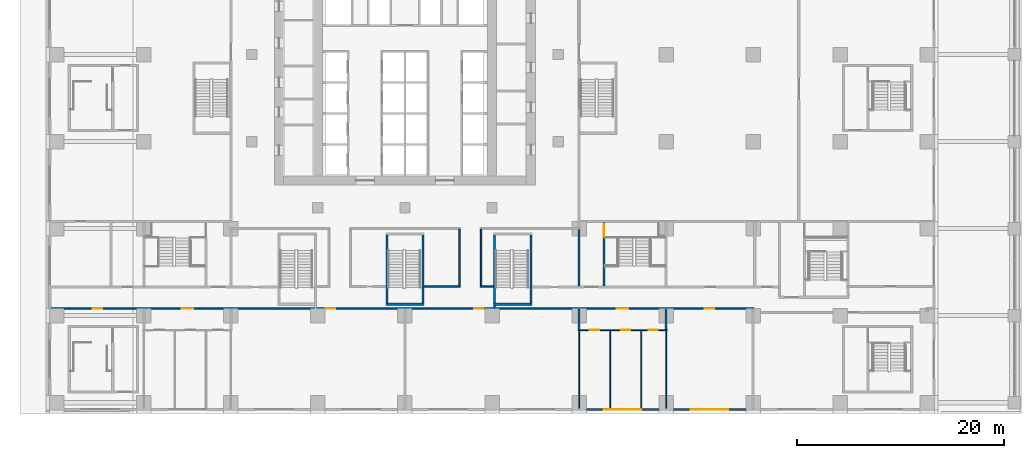
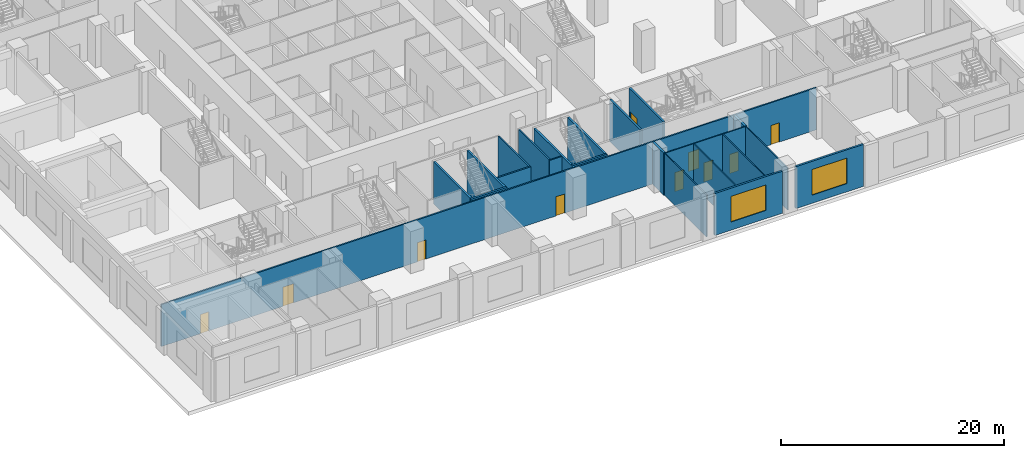
# One storey, part 10 of 29: 22 walls, 10 doors, 2 windows, 12 openings.
"""IFC4 building model written with IfcOpenShell, lengths in metres."""

import ifcopenshell
import ifcopenshell.guid

model = None  # the IFC model being written
_history = None  # IfcOwnerHistory: only IFC2X3 demands one
_inside = {}  # id of a spatial element -> (the spatial element, [elements in it])
_under = {}  # id of a project, library or spatial element -> (it, [spatial elements below it])
_declared = {}  # id of a project -> (the project, [libraries it declares])
_typed = {}  # id of a type object -> (the type object, [elements of that type])
_made_of = {}  # id of a material, layer set ... -> (it, [elements and type objects made of it])


def new_model(schema):
    """Start an empty IFC model of exactly this schema.

    Asked for "IFC4X3", IfcOpenShell would pick the latest addendum, in which some entities
    have other attributes; the version numbers below select the first issue.
    IFC2X3 requires an IfcOwnerHistory on every rooted entity: one is made here for all.
    """
    global model, _history
    if schema == "IFC4X3":
        model = ifcopenshell.file(schema_version=(4, 3, 0, 0))
    else:
        model = ifcopenshell.file(schema=schema)
    _inside.clear()
    _under.clear()
    _declared.clear()
    _typed.clear()
    _made_of.clear()
    _history = None
    if model.schema == "IFC2X3":
        org = make("IfcOrganization", Name="unknown")
        user = make(
            "IfcPersonAndOrganization",
            ThePerson=make("IfcPerson", FamilyName="unknown"),
            TheOrganization=org,
        )
        app = make(
            "IfcApplication",
            ApplicationDeveloper=org,
            Version="unknown",
            ApplicationFullName="unknown",
            ApplicationIdentifier="unknown",
        )
        _history = make(
            "IfcOwnerHistory",
            OwningUser=user,
            OwningApplication=app,
            ChangeAction="ADDED",
            CreationDate=0,
        )
    return model


def make(cls, **values):
    """One entity of the class cls with the attributes given. An attribute that is None is left unset."""
    return model.create_entity(
        cls, **{name: value for name, value in values.items() if value is not None}
    )


def rooted(cls, **values):
    """An entity with a GlobalId (a new one), such as an element, a storey or a relation."""
    return make(cls, GlobalId=ifcopenshell.guid.new(), OwnerHistory=_history, **values)


def si_unit(unit_type, name, prefix=None):
    """IfcSIUnit, for example si_unit("LENGTHUNIT", "METRE", prefix="MILLI")."""
    return make("IfcSIUnit", UnitType=unit_type, Prefix=prefix, Name=name)


def assignment(units):
    """IfcUnitAssignment: the units of a project."""
    return None if units is None else make("IfcUnitAssignment", Units=units)


def point(xyz):
    """IfcCartesianPoint."""
    return None if xyz is None else make("IfcCartesianPoint", Coordinates=xyz)


def direction(xyz):
    """IfcDirection."""
    return None if xyz is None else make("IfcDirection", DirectionRatios=xyz)


def frame(location, z_axis=None, x_axis=None):
    """IfcAxis2Placement3D, a coordinate frame: its origin and axes. An axis left out is left unset."""
    return make(
        "IfcAxis2Placement3D",
        Location=point(location),
        Axis=direction(z_axis),
        RefDirection=direction(x_axis),
    )


def frame_2d(location, x_axis=None):
    """IfcAxis2Placement2D, a coordinate frame in the plane: its origin and x axis."""
    return make(
        "IfcAxis2Placement2D", Location=point(location), RefDirection=direction(x_axis)
    )


def origin():
    """The frame at (0, 0, 0) with its axes left unset."""
    return frame((0.0, 0.0, 0.0))


def place(relative_to, where):
    """IfcLocalPlacement: puts the frame where relative to a parent placement (None: the world)."""
    return make(
        "IfcLocalPlacement", PlacementRelTo=relative_to, RelativePlacement=where
    )


def context(
    kind, dimensions, precision=None, world=None, true_north=None, identifier=None
):
    """IfcGeometricRepresentationContext, for example the 3D "Model" context."""
    return make(
        "IfcGeometricRepresentationContext",
        ContextIdentifier=identifier,
        ContextType=kind,
        CoordinateSpaceDimension=dimensions,
        Precision=precision,
        WorldCoordinateSystem=world,
        TrueNorth=true_north,
    )


def subcontext(parent, identifier, kind, view, scale=None):
    """IfcGeometricRepresentationSubContext, for example "Body" below "Model"."""
    return make(
        "IfcGeometricRepresentationSubContext",
        ContextIdentifier=identifier,
        ContextType=kind,
        ParentContext=parent,
        TargetScale=scale,
        TargetView=view,
    )


def project(units=None, contexts=None):
    """IfcProject with its units and contexts."""
    return rooted(
        "IfcProject",
        Name="project",
        RepresentationContexts=contexts,
        UnitsInContext=assignment(units),
    )


def spatial(cls, under=None, at=None, **own):
    """A site, building, storey or space (cls), placed at a placement, below another one or the project."""
    s = rooted(cls, ObjectPlacement=at, **own)
    if under is not None:
        _under.setdefault(under.id(), (under, []))[1].append(s)
    return s


def profile(cls, at=None, kind="AREA", **sizes):
    """A parametric profile (cls). Its sizes go by their IFC names, for example OverallWidth=200.0."""
    return make(cls, ProfileType=kind, Position=at, **sizes)


def rectangle(**sizes):
    """IfcRectangleProfileDef."""
    return profile("IfcRectangleProfileDef", **sizes)


def extrude(swept, where, along, depth):
    """IfcExtrudedAreaSolid: the profile swept, set in the frame where, extruded along a direction by depth."""
    return make(
        "IfcExtrudedAreaSolid",
        SweptArea=swept,
        Position=where,
        ExtrudedDirection=direction(along),
        Depth=depth,
    )


def shape(context_of_items, identifier, shape_type, items):
    """IfcShapeRepresentation: the items that make up one representation, for example the "Body"."""
    return make(
        "IfcShapeRepresentation",
        ContextOfItems=context_of_items,
        RepresentationIdentifier=identifier,
        RepresentationType=shape_type,
        Items=items,
    )


def material(Name=None, Category=None):
    """IfcMaterial."""
    return make("IfcMaterial", Name=Name, Category=Category)


def layer(
    of_material, thickness, ventilated=None, Name=None, Category=None, Priority=None
):
    """IfcMaterialLayer: one layer of a wall or slab, of a material (None: an air gap)."""
    return make(
        "IfcMaterialLayer",
        Material=of_material,
        LayerThickness=thickness,
        IsVentilated=ventilated,
        Name=Name,
        Category=Category,
        Priority=Priority,
    )


def layer_set(layers, Name=None):
    """IfcMaterialLayerSet."""
    return make("IfcMaterialLayerSet", MaterialLayers=layers, LayerSetName=Name)


def made_of(thing, what):
    """Note that an element or type object is made of a material, layer set ...; save() writes the relation."""
    if what is not None:
        _made_of.setdefault(what.id(), (what, []))[1].append(thing)
    return thing


def type_object(cls, material=None, **own):
    """A type object (cls), such as IfcWallType, which elements share."""
    return made_of(rooted(cls, **own), material)


def element(
    cls,
    number,
    at=None,
    inside=None,
    cuts=None,
    type_object=None,
    material=None,
    context=None,
    identifier="Body",
    shape_type=None,
    held_by="IfcProductDefinitionShape",
    body=None,
    shapes=None,
    **own,
):
    """One element of the class cls, such as IfcWall. Its Tag is "e" and its number.

    at: its placement. inside: the storey or other place that contains it. cuts: it is an
    opening in that element (IfcRelVoidsElement). A single representation is given by context,
    identifier, shape_type and body (its items); several are given by shapes. held_by: the class
    of the entity that holds the representations. save() writes the other relations.
    """
    e = rooted(cls, Tag="e%d" % number, ObjectPlacement=at, **own)
    if body is not None:
        shapes = [shape(context, identifier, shape_type, body)]
    if shapes is not None:
        e.Representation = make(held_by, Representations=shapes)
    if inside is not None:
        _inside.setdefault(inside.id(), (inside, []))[1].append(e)
    if cuts is not None:
        rooted(
            "IfcRelVoidsElement", RelatingBuildingElement=cuts, RelatedOpeningElement=e
        )
    if type_object is not None:
        _typed.setdefault(type_object.id(), (type_object, []))[1].append(e)
    return made_of(e, material)


def fill(opening, filler):
    """IfcRelFillsElement: the door or window that sits in an opening."""
    return rooted(
        "IfcRelFillsElement",
        RelatingOpeningElement=opening,
        RelatedBuildingElement=filler,
    )


def aggregate(whole, parts):
    """IfcRelAggregates: a whole, such as a stair, and the parts it consists of."""
    return rooted("IfcRelAggregates", RelatingObject=whole, RelatedObjects=parts)


def save(model, path):
    """Write the relations noted so far, then the file.

    IfcRelAggregates (storeys below a building ...), IfcRelContainedInSpatialStructure (elements
    in a storey), IfcRelDefinesByType, IfcRelAssociatesMaterial and IfcRelDeclares: one each for
    every whole, place, type object, material and project.
    """
    for whole, parts in _under.values():
        aggregate(whole, parts)
    for where, things in _inside.values():
        rooted(
            "IfcRelContainedInSpatialStructure",
            RelatedElements=things,
            RelatingStructure=where,
        )
    for kind, things in _typed.values():
        rooted("IfcRelDefinesByType", RelatedObjects=things, RelatingType=kind)
    for what, things in _made_of.values():
        rooted("IfcRelAssociatesMaterial", RelatedObjects=things, RelatingMaterial=what)
    for by, libraries in _declared.values():
        rooted("IfcRelDeclares", RelatingContext=by, RelatedDefinitions=libraries)
    model.write(path)


model = new_model("IFC4")

# Units and contexts
model_context = context("Model", 3, precision=1e-05, world=origin(), true_north=direction((0.0, 1.0)))
body_context = subcontext(model_context, "Body", "Model", "MODEL_VIEW")
ifc_project = project(units=[si_unit("LENGTHUNIT", "METRE"), si_unit("AREAUNIT", "SQUARE_METRE"), si_unit("VOLUMEUNIT", "CUBIC_METRE"), si_unit("PLANEANGLEUNIT", "RADIAN"), si_unit("MASSUNIT", "GRAM", prefix="KILO")], contexts=[model_context])

# Site, building, storey
site_placement = place(None, origin())
site = spatial("IfcSite", under=ifc_project, at=site_placement, CompositionType="ELEMENT")
building_placement = place(site_placement, origin())
building = spatial("IfcBuilding", under=site, at=building_placement, Name="Vermilion Ogive Tower", CompositionType="ELEMENT")
storey_placement = place(building_placement, frame((0.0, 0.0, 7.5)))
storey = spatial("IfcBuildingStorey", under=building, at=storey_placement, Name="L01", CompositionType="ELEMENT", Elevation=7.5)

# Wall, openings, doors
ifc_material_1 = material(Name="Gypsum board partition on steel studs", Category="steel")
ifc_layer_1 = layer(ifc_material_1, 0.10009765625)
ifc_layer_set_1 = layer_set([ifc_layer_1], Name="Partition 100 bath")
wall_type_1 = type_object("IfcWallType", Name="Partition 100 bath", PredefinedType="PARTITIONING", material=ifc_layer_set_1)
wall_1_placement = place(storey_placement, frame((16.699951171875, -22.39990234375, 0.0), z_axis=(0.0, 0.0, 1.0), x_axis=(1.0, 0.0, 0.0)))
wall_1 = element("IfcWall", 1, at=wall_1_placement, inside=storey, type_object=wall_type_1, Name="L01-FS-W-W004", PredefinedType="PARTITIONING", context=body_context, shape_type="SweptSolid", body=[
    extrude(rectangle(XDim=8.60009765625, YDim=0.10009765625, at=frame_2d((4.300048828125, 0.0))), origin(), (0.0, 0.0, 1.0), 4.60009765625),
])
opening_1_placement = place(wall_1_placement, frame((1.150146484375, 0.0, 0.0)))
opening_1 = element("IfcOpeningElement", 2, at=opening_1_placement, cuts=wall_1, Name="Opening L01S049", PredefinedType="OPENING", context=body_context, shape_type="SweptSolid", body=[
    extrude(rectangle(XDim=0.89990234375, YDim=2.10009765625, at=frame_2d((0.449951171875, 1.050048828125))), frame((0.0, 0.06005859375, 0.0), z_axis=(0.0, -1.0, 0.0), x_axis=(1.0, 0.0, 0.0)), (0.0, 0.0, 1.0), 0.1201171875),
])
opening_2_placement = place(wall_1_placement, frame((4.150146484375, 0.0, 0.0)))
opening_2 = element("IfcOpeningElement", 3, at=opening_2_placement, cuts=wall_1, Name="Opening L01S050", PredefinedType="OPENING", context=body_context, shape_type="SweptSolid", body=[
    extrude(rectangle(XDim=0.89990234375, YDim=2.10009765625, at=frame_2d((0.449951171875, 1.050048828125))), frame((0.0, 0.06005859375, 0.0), z_axis=(0.0, -1.0, 0.0), x_axis=(1.0, 0.0, 0.0)), (0.0, 0.0, 1.0), 0.1201171875),
])
opening_3_placement = place(wall_1_placement, frame((6.800048828125, 0.0, 0.0)))
opening_3 = element("IfcOpeningElement", 4, at=opening_3_placement, cuts=wall_1, Name="Opening L01S051", PredefinedType="OPENING", context=body_context, shape_type="SweptSolid", body=[
    extrude(rectangle(XDim=0.89990234375, YDim=2.10009765625, at=frame_2d((0.449951171875, 1.050048828125))), frame((0.0, 0.06005859375, 0.0), z_axis=(0.0, -1.0, 0.0), x_axis=(1.0, 0.0, 0.0)), (0.0, 0.0, 1.0), 0.1201171875),
])
ifc_material_2 = material(Name="Timber door leaf", Category="wood")
door_type_1 = type_object("IfcDoorType", Name="Room door 900 x 2100 FD30", OperationType="SINGLE_SWING_LEFT", PredefinedType="DOOR", material=ifc_material_2)
door_1_placement = place(opening_1_placement, origin())
door_1 = element("IfcDoor", 5, at=door_1_placement, inside=storey, type_object=door_type_1, Name="L01-FS-D-D049", OperationType="SINGLE_SWING_RIGHT", OverallHeight=2.10009765625, OverallWidth=0.89990234375, PredefinedType="DOOR", context=body_context, shape_type="SweptSolid", body=[
    extrude(rectangle(XDim=0.89990234375, YDim=2.10009765625, at=frame_2d((0.449951171875, 1.050048828125))), frame((0.0, 0.02490234375, 0.0), z_axis=(0.0, -1.0, 0.0), x_axis=(1.0, 0.0, 0.0)), (0.0, 0.0, 1.0), 0.050048828125),
])
fill(opening_1, door_1)
door_2_placement = place(opening_2_placement, origin())
door_2 = element("IfcDoor", 6, at=door_2_placement, inside=storey, type_object=door_type_1, Name="L01-FS-D-D050", OperationType="SINGLE_SWING_RIGHT", OverallHeight=2.10009765625, OverallWidth=0.89990234375, PredefinedType="DOOR", context=body_context, shape_type="SweptSolid", body=[
    extrude(rectangle(XDim=0.89990234375, YDim=2.10009765625, at=frame_2d((0.449951171875, 1.050048828125))), frame((0.0, 0.02490234375, 0.0), z_axis=(0.0, -1.0, 0.0), x_axis=(1.0, 0.0, 0.0)), (0.0, 0.0, 1.0), 0.050048828125),
])
fill(opening_2, door_2)
door_3_placement = place(opening_3_placement, origin())
door_3 = element("IfcDoor", 7, at=door_3_placement, inside=storey, type_object=door_type_1, Name="L01-FS-D-D051", OperationType="SINGLE_SWING_RIGHT", OverallHeight=2.10009765625, OverallWidth=0.89990234375, PredefinedType="DOOR", context=body_context, shape_type="SweptSolid", body=[
    extrude(rectangle(XDim=0.89990234375, YDim=2.10009765625, at=frame_2d((0.449951171875, 1.050048828125))), frame((0.0, 0.02490234375, 0.0), z_axis=(0.0, -1.0, 0.0), x_axis=(1.0, 0.0, 0.0)), (0.0, 0.0, 1.0), 0.050048828125),
])
fill(opening_3, door_3)

# Walls
for number, where, z_axis, x_axis, name in (
    (8, (16.800048828125, -29.949951171875, 0.0), (0.0, 0.0, 1.0), (0.0, 1.0, 0.0), "L01-FS-W-W074"),
    (9, (19.800048828125, -29.949951171875, 0.0), (0.0, 0.0, 1.0), (0.0, 1.0, 0.0), "L01-FS-W-W081"),
    (10, (22.800048828125, -29.949951171875, 0.0), (0.0, 0.0, 1.0), (0.0, 1.0, 0.0), "L01-FS-W-W082"),
    (11, (25.199951171875, -29.949951171875, 0.0), (0.0, 0.0, 1.0), (0.0, 1.0, 0.0), "L01-FS-W-W083"),
):
    element("IfcWall", number, at=place(storey_placement, frame(where, z_axis=z_axis, x_axis=x_axis)), inside=storey, type_object=wall_type_1, Name=name, PredefinedType="PARTITIONING", context=body_context, shape_type="SweptSolid", body=[
        extrude(rectangle(XDim=7.5, YDim=0.10009765625, at=frame_2d((3.75, 0.0))), origin(), (0.0, 0.0, 1.0), 4.60009765625),
    ])

# Wall, openings, doors
ifc_material_3 = material(Name="Gypsum board partition on steel studs", Category="steel")
ifc_layer_2 = layer(ifc_material_3, 0.14990234375)
ifc_layer_set_2 = layer_set([ifc_layer_2], Name="Partition 150 corridor")
wall_type_2 = type_object("IfcWallType", Name="Partition 150 corridor", PredefinedType="PARTITIONING", material=ifc_layer_set_2)
wall_2_placement = place(storey_placement, frame((-34.14990234375, -20.300048828125, 0.0), z_axis=(0.0, 0.0, 1.0), x_axis=(1.0, 0.0, 0.0)))
wall_2 = element("IfcWall", 12, at=wall_2_placement, inside=storey, type_object=wall_type_2, Name="L01-FS-W-W008", PredefinedType="PARTITIONING", context=body_context, shape_type="SweptSolid", body=[
    extrude(rectangle(XDim=67.824951171875, YDim=0.14990234375, at=frame_2d((33.91259765625, 0.0))), origin(), (0.0, 0.0, 1.0), 4.60009765625),
])
opening_4_placement = place(wall_2_placement, frame((12.599853515625, 0.0, 0.0)))
opening_4 = element("IfcOpeningElement", 13, at=opening_4_placement, cuts=wall_2, Name="Opening L01S031", PredefinedType="OPENING", context=body_context, shape_type="SweptSolid", body=[
    extrude(rectangle(XDim=1.10009765625, YDim=2.10009765625, at=frame_2d((0.550048828125, 1.050048828125))), frame((0.0, 0.0849609375, 0.0), z_axis=(0.0, -1.0, 0.0), x_axis=(1.0, 0.0, 0.0)), (0.0, 0.0, 1.0), 0.169921875),
])
opening_5_placement = place(wall_2_placement, frame((4.02490234375, 0.0, 0.0)))
opening_5 = element("IfcOpeningElement", 14, at=opening_5_placement, cuts=wall_2, Name="Opening L01S035", PredefinedType="OPENING", context=body_context, shape_type="SweptSolid", body=[
    extrude(rectangle(XDim=0.89990234375, YDim=2.10009765625, at=frame_2d((0.449951171875, 1.050048828125))), frame((0.0, 0.0849609375, 0.0), z_axis=(0.0, -1.0, 0.0), x_axis=(1.0, 0.0, 0.0)), (0.0, 0.0, 1.0), 0.169921875),
])
opening_6_placement = place(wall_2_placement, frame((26.5, 0.0, 0.0)))
opening_6 = element("IfcOpeningElement", 15, at=opening_6_placement, cuts=wall_2, Name="Opening L01S036", PredefinedType="OPENING", context=body_context, shape_type="SweptSolid", body=[
    extrude(rectangle(XDim=0.89990234375, YDim=2.10009765625, at=frame_2d((0.449951171875, 1.050048828125))), frame((0.0, 0.0849609375, 0.0), z_axis=(0.0, -1.0, 0.0), x_axis=(1.0, 0.0, 0.0)), (0.0, 0.0, 1.0), 0.169921875),
])
opening_7_placement = place(wall_2_placement, frame((40.849853515625, 0.0, 0.0)))
opening_7 = element("IfcOpeningElement", 16, at=opening_7_placement, cuts=wall_2, Name="Opening L01S037", PredefinedType="OPENING", context=body_context, shape_type="SweptSolid", body=[
    extrude(rectangle(XDim=0.89990234375, YDim=2.10009765625, at=frame_2d((0.449951171875, 1.050048828125))), frame((0.0, 0.0849609375, 0.0), z_axis=(0.0, -1.0, 0.0), x_axis=(1.0, 0.0, 0.0)), (0.0, 0.0, 1.0), 0.169921875),
])
opening_8_placement = place(wall_2_placement, frame((54.599853515625, 0.0, 0.0)))
opening_8 = element("IfcOpeningElement", 17, at=opening_8_placement, cuts=wall_2, Name="Opening L01S048", PredefinedType="OPENING", context=body_context, shape_type="SweptSolid", body=[
    extrude(rectangle(XDim=1.10009765625, YDim=2.10009765625, at=frame_2d((0.550048828125, 1.050048828125))), frame((0.0, 0.0849609375, 0.0), z_axis=(0.0, -1.0, 0.0), x_axis=(1.0, 0.0, 0.0)), (0.0, 0.0, 1.0), 0.169921875),
])
opening_9_placement = place(wall_2_placement, frame((63.099853515625, 0.0, 0.0)))
opening_9 = element("IfcOpeningElement", 18, at=opening_9_placement, cuts=wall_2, Name="Opening L01S052", PredefinedType="OPENING", context=body_context, shape_type="SweptSolid", body=[
    extrude(rectangle(XDim=0.89990234375, YDim=2.10009765625, at=frame_2d((0.449951171875, 1.050048828125))), frame((0.0, 0.0849609375, 0.0), z_axis=(0.0, -1.0, 0.0), x_axis=(1.0, 0.0, 0.0)), (0.0, 0.0, 1.0), 0.169921875),
])
door_4_placement = place(opening_5_placement, origin())
door_4 = element("IfcDoor", 19, at=door_4_placement, inside=storey, type_object=door_type_1, Name="L01-FS-D-D035", OperationType="SINGLE_SWING_RIGHT", OverallHeight=2.10009765625, OverallWidth=0.89990234375, PredefinedType="DOOR", context=body_context, shape_type="SweptSolid", body=[
    extrude(rectangle(XDim=0.89990234375, YDim=2.10009765625, at=frame_2d((0.449951171875, 1.050048828125))), frame((0.0, 0.02490234375, 0.0), z_axis=(0.0, -1.0, 0.0), x_axis=(1.0, 0.0, 0.0)), (0.0, 0.0, 1.0), 0.050048828125),
])
fill(opening_5, door_4)
door_5_placement = place(opening_6_placement, origin())
door_5 = element("IfcDoor", 20, at=door_5_placement, inside=storey, type_object=door_type_1, Name="L01-FS-D-D036", OperationType="SINGLE_SWING_LEFT", OverallHeight=2.10009765625, OverallWidth=0.89990234375, PredefinedType="DOOR", context=body_context, shape_type="SweptSolid", body=[
    extrude(rectangle(XDim=0.89990234375, YDim=2.10009765625, at=frame_2d((0.449951171875, 1.050048828125))), frame((0.0, 0.02490234375, 0.0), z_axis=(0.0, -1.0, 0.0), x_axis=(1.0, 0.0, 0.0)), (0.0, 0.0, 1.0), 0.050048828125),
])
fill(opening_6, door_5)
door_6_placement = place(opening_7_placement, origin())
door_6 = element("IfcDoor", 21, at=door_6_placement, inside=storey, type_object=door_type_1, Name="L01-FS-D-D037", OperationType="SINGLE_SWING_LEFT", OverallHeight=2.10009765625, OverallWidth=0.89990234375, PredefinedType="DOOR", context=body_context, shape_type="SweptSolid", body=[
    extrude(rectangle(XDim=0.89990234375, YDim=2.10009765625, at=frame_2d((0.449951171875, 1.050048828125))), frame((0.0, 0.02490234375, 0.0), z_axis=(0.0, -1.0, 0.0), x_axis=(1.0, 0.0, 0.0)), (0.0, 0.0, 1.0), 0.050048828125),
])
fill(opening_7, door_6)
door_7_placement = place(opening_9_placement, origin())
door_7 = element("IfcDoor", 22, at=door_7_placement, inside=storey, type_object=door_type_1, Name="L01-FS-D-D052", OperationType="SINGLE_SWING_RIGHT", OverallHeight=2.10009765625, OverallWidth=0.89990234375, PredefinedType="DOOR", context=body_context, shape_type="SweptSolid", body=[
    extrude(rectangle(XDim=0.89990234375, YDim=2.10009765625, at=frame_2d((0.449951171875, 1.050048828125))), frame((0.0, 0.02490234375, 0.0), z_axis=(0.0, -1.0, 0.0), x_axis=(1.0, 0.0, 0.0)), (0.0, 0.0, 1.0), 0.050048828125),
])
fill(opening_9, door_7)
ifc_material_4 = material(Name="Timber door leaf", Category="wood")
door_type_2 = type_object("IfcDoorType", Name="Wc door 1100 x 2100 FD30", OperationType="SINGLE_SWING_LEFT", PredefinedType="DOOR", material=ifc_material_4)
door_8_placement = place(opening_4_placement, origin())
door_8 = element("IfcDoor", 23, at=door_8_placement, inside=storey, type_object=door_type_2, Name="L01-FS-D-D031", OperationType="SINGLE_SWING_LEFT", OverallHeight=2.10009765625, OverallWidth=1.10009765625, PredefinedType="DOOR", context=body_context, shape_type="SweptSolid", body=[
    extrude(rectangle(XDim=1.10009765625, YDim=2.10009765625, at=frame_2d((0.550048828125, 1.050048828125))), frame((0.0, 0.02490234375, 0.0), z_axis=(0.0, -1.0, 0.0), x_axis=(1.0, 0.0, 0.0)), (0.0, 0.0, 1.0), 0.050048828125),
])
fill(opening_4, door_8)
door_9_placement = place(opening_8_placement, origin())
door_9 = element("IfcDoor", 24, at=door_9_placement, inside=storey, type_object=door_type_2, Name="L01-FS-D-D048", OperationType="SINGLE_SWING_RIGHT", OverallHeight=2.10009765625, OverallWidth=1.10009765625, PredefinedType="DOOR", context=body_context, shape_type="SweptSolid", body=[
    extrude(rectangle(XDim=1.10009765625, YDim=2.10009765625, at=frame_2d((0.550048828125, 1.050048828125))), frame((0.0, 0.02490234375, 0.0), z_axis=(0.0, -1.0, 0.0), x_axis=(1.0, 0.0, 0.0)), (0.0, 0.0, 1.0), 0.050048828125),
])
fill(opening_8, door_9)

# Walls
wall_3_placement = place(storey_placement, frame((1.85009765625, -18.199951171875, 0.0), z_axis=(0.0, 0.0, 1.0), x_axis=(1.0, 0.0, 0.0)))
element("IfcWall", 25, at=wall_3_placement, inside=storey, type_object=wall_type_2, Name="L01-FS-W-W014", PredefinedType="PARTITIONING", context=body_context, shape_type="SweptSolid", body=[
    extrude(rectangle(XDim=3.474853515625, YDim=0.14990234375, at=frame_2d((1.7373046875, 0.0))), origin(), (0.0, 0.0, 1.0), 4.60009765625),
])
wall_4_placement = place(storey_placement, frame((7.27490234375, -18.199951171875, 0.0), z_axis=(0.0, 0.0, 1.0), x_axis=(1.0, 0.0, 0.0)))
element("IfcWall", 26, at=wall_4_placement, inside=storey, type_object=wall_type_2, Name="L01-FS-W-W015", PredefinedType="PARTITIONING", context=body_context, shape_type="SweptSolid", body=[
    extrude(rectangle(XDim=1.275146484375, YDim=0.14990234375, at=frame_2d((0.6376953125, 0.0))), origin(), (0.0, 0.0, 1.0), 4.60009765625),
])
for number, where, z_axis, x_axis, name in (
    (27, (5.25, -18.125, 0.0), (0.0, 0.0, 1.0), (0.0, 1.0, 0.0), "L01-FS-W-W071"),
    (28, (7.35009765625, -18.125, 0.0), (0.0, 0.0, 1.0), (0.0, 1.0, 0.0), "L01-FS-W-W072"),
):
    element("IfcWall", number, at=place(storey_placement, frame(where, z_axis=z_axis, x_axis=x_axis)), inside=storey, type_object=wall_type_2, Name=name, PredefinedType="PARTITIONING", context=body_context, shape_type="SweptSolid", body=[
        extrude(rectangle(XDim=5.449951171875, YDim=0.14990234375, at=frame_2d((2.72509765625, 0.0))), origin(), (0.0, 0.0, 1.0), 4.60009765625),
    ])
ifc_material_5 = material(Name="Gypsum board partition on steel studs", Category="steel")
ifc_layer_3 = layer(ifc_material_5, 0.199951171875)
ifc_layer_set_3 = layer_set([ifc_layer_3], Name="Partition 200 party")
wall_type_3 = type_object("IfcWallType", Name="Partition 200 party", PredefinedType="PARTITIONING", material=ifc_layer_set_3)
wall_5_placement = place(storey_placement, frame((16.800048828125, -22.35009765625, 0.0), z_axis=(0.0, 0.0, 1.0), x_axis=(0.0, 1.0, 0.0)))
element("IfcWall", 29, at=wall_5_placement, inside=storey, type_object=wall_type_3, Name="L01-FS-W-W075", PredefinedType="PARTITIONING", context=body_context, shape_type="SweptSolid", body=[
    extrude(rectangle(XDim=1.97509765625, YDim=0.199951171875, at=frame_2d((0.987548828125, 0.0))), origin(), (0.0, 0.0, 1.0), 4.60009765625),
])
wall_6_placement = place(storey_placement, frame((16.800048828125, -18.125, 0.0), z_axis=(0.0, 0.0, 1.0), x_axis=(0.0, 1.0, 0.0)))
element("IfcWall", 30, at=wall_6_placement, inside=storey, type_object=wall_type_3, Name="L01-FS-W-W076", PredefinedType="PARTITIONING", context=body_context, shape_type="SweptSolid", body=[
    extrude(rectangle(XDim=5.449951171875, YDim=0.199951171875, at=frame_2d((2.72509765625, 0.0))), origin(), (0.0, 0.0, 1.0), 4.60009765625),
])
wall_7_placement = place(storey_placement, frame((25.199951171875, -22.35009765625, 0.0), z_axis=(0.0, 0.0, 1.0), x_axis=(0.0, 1.0, 0.0)))
element("IfcWall", 31, at=wall_7_placement, inside=storey, type_object=wall_type_3, Name="L01-FS-W-W084", PredefinedType="PARTITIONING", context=body_context, shape_type="SweptSolid", body=[
    extrude(rectangle(XDim=1.97509765625, YDim=0.199951171875, at=frame_2d((0.987548828125, 0.0))), origin(), (0.0, 0.0, 1.0), 4.60009765625),
])

# Wall, opening, door
ifc_material_6 = material(Name="Concrete B60", Category="concrete")
ifc_layer_4 = layer(ifc_material_6, 0.199951171875)
ifc_layer_set_4 = layer_set([ifc_layer_4], Name="Stair shaft wall 200 Concrete B60")
wall_type_4 = type_object("IfcWallType", Name="Stair shaft wall 200 Concrete B60", PredefinedType="SOLIDWALL", material=ifc_layer_set_4)
wall_8_placement = place(storey_placement, frame((19.199951171875, -18.125, 0.0), z_axis=(0.0, 0.0, 1.0), x_axis=(0.0, 1.0, 0.0)))
wall_8 = element("IfcWall", 32, at=wall_8_placement, inside=storey, type_object=wall_type_4, Name="L01-FS-W-W080", PredefinedType="SOLIDWALL", context=body_context, shape_type="SweptSolid", body=[
    extrude(rectangle(XDim=6.125, YDim=0.199951171875, at=frame_2d((3.0625, 0.0))), origin(), (0.0, 0.0, 1.0), 4.60009765625),
])
opening_10_placement = place(wall_8_placement, frame((4.72509765625, 0.0, 0.0)))
opening_10 = element("IfcOpeningElement", 33, at=opening_10_placement, cuts=wall_8, Name="Opening L01S003", PredefinedType="OPENING", context=body_context, shape_type="SweptSolid", body=[
    extrude(rectangle(XDim=1.199951171875, YDim=2.10009765625, at=frame_2d((0.60009765625, 1.050048828125))), frame((0.0, 0.10986328125, 0.0), z_axis=(0.0, -1.0, 0.0), x_axis=(1.0, 0.0, 0.0)), (0.0, 0.0, 1.0), 0.219970703125),
])
ifc_material_7 = material(Name="Timber door leaf", Category="wood")
door_type_3 = type_object("IfcDoorType", Name="Stair door 1200 x 2100 FD60S", OperationType="SINGLE_SWING_LEFT", PredefinedType="DOOR", material=ifc_material_7)
door_10_placement = place(opening_10_placement, origin())
door_10 = element("IfcDoor", 34, at=door_10_placement, inside=storey, type_object=door_type_3, Name="L01-FS-D-D003", OperationType="DOUBLE_DOOR_SINGLE_SWING", OverallHeight=2.10009765625, OverallWidth=1.199951171875, PredefinedType="DOOR", context=body_context, shape_type="SweptSolid", body=[
    extrude(rectangle(XDim=1.199951171875, YDim=2.10009765625, at=frame_2d((0.60009765625, 1.050048828125))), frame((0.0, 0.02490234375, 0.0), z_axis=(0.0, -1.0, 0.0), x_axis=(1.0, 0.0, 0.0)), (0.0, 0.0, 1.0), 0.050048828125),
])
fill(opening_10, door_10)

# Walls
wall_9_placement = place(storey_placement, frame((-1.85009765625, -19.89990234375, 0.0), z_axis=(0.0, 0.0, 1.0), x_axis=(1.0, 0.0, 0.0)))
element("IfcWall", 35, at=wall_9_placement, inside=storey, type_object=wall_type_4, Name="L01-SW-ST4-S1", PredefinedType="SOLIDWALL", context=body_context, shape_type="SweptSolid", body=[
    extrude(rectangle(XDim=3.7001953125, YDim=0.199951171875, at=frame_2d((1.85009765625, 0.0))), origin(), (0.0, 0.0, 1.0), 4.60009765625),
])
for number, where, z_axis, x_axis, name in (
    (36, (-1.75, -19.800048828125, 0.0), (0.0, 0.0, 1.0), (0.0, 1.0, 0.0), "L01-SW-ST4-W1"),
    (37, (1.75, -19.800048828125, 0.0), (0.0, 0.0, 1.0), (0.0, 1.0, 0.0), "L01-SW-ST4-E1"),
):
    element("IfcWall", number, at=place(storey_placement, frame(where, z_axis=z_axis, x_axis=x_axis)), inside=storey, type_object=wall_type_4, Name=name, PredefinedType="SOLIDWALL", context=body_context, shape_type="SweptSolid", body=[
        extrude(rectangle(XDim=6.60009765625, YDim=0.199951171875, at=frame_2d((3.300048828125, 0.0))), origin(), (0.0, 0.0, 1.0), 4.60009765625),
    ])
wall_10_placement = place(storey_placement, frame((8.550048828125, -19.89990234375, 0.0), z_axis=(0.0, 0.0, 1.0), x_axis=(1.0, 0.0, 0.0)))
element("IfcWall", 38, at=wall_10_placement, inside=storey, type_object=wall_type_4, Name="L01-SW-ST5-S1", PredefinedType="SOLIDWALL", context=body_context, shape_type="SweptSolid", body=[
    extrude(rectangle(XDim=3.699951171875, YDim=0.199951171875, at=frame_2d((1.85009765625, 0.0))), origin(), (0.0, 0.0, 1.0), 4.60009765625),
])
wall_11_placement = place(storey_placement, frame((8.64990234375, -20.300048828125, 0.0), z_axis=(0.0, 0.0, 1.0), x_axis=(0.0, 1.0, 0.0)))
element("IfcWall", 39, at=wall_11_placement, inside=storey, type_object=wall_type_4, Name="L01-SW-ST5-W1", PredefinedType="SOLIDWALL", context=body_context, shape_type="SweptSolid", body=[
    extrude(rectangle(XDim=7.10009765625, YDim=0.199951171875, at=frame_2d((3.550048828125, 0.0))), origin(), (0.0, 0.0, 1.0), 4.60009765625),
])
wall_12_placement = place(storey_placement, frame((12.14990234375, -19.800048828125, 0.0), z_axis=(0.0, 0.0, 1.0), x_axis=(0.0, 1.0, 0.0)))
element("IfcWall", 40, at=wall_12_placement, inside=storey, type_object=wall_type_4, Name="L01-SW-ST5-E1", PredefinedType="SOLIDWALL", context=body_context, shape_type="SweptSolid", body=[
    extrude(rectangle(XDim=6.60009765625, YDim=0.199951171875, at=frame_2d((3.300048828125, 0.0))), origin(), (0.0, 0.0, 1.0), 4.60009765625),
])

# Wall, opening, window
ifc_material_8 = material(Name="Aluminium window wall framing", Category="aluminium")
ifc_layer_5 = layer(ifc_material_8, 0.199951171875)
ifc_layer_set_5 = layer_set([ifc_layer_5], Name="Window wall")
wall_type_5 = type_object("IfcWallType", Name="Window wall", PredefinedType="STANDARD", material=ifc_layer_set_5)
wall_13_placement = place(storey_placement, frame((17.5, -30.050048828125, 0.0), z_axis=(0.0, 0.0, 1.0), x_axis=(1.0, 0.0, 0.0)))
wall_13 = element("IfcWall", 41, at=wall_13_placement, inside=storey, type_object=wall_type_5, Name="Window wall S7", PredefinedType="STANDARD", context=body_context, shape_type="SweptSolid", body=[
    extrude(rectangle(XDim=7.0, YDim=0.199951171875, at=frame_2d((3.5, 0.0))), origin(), (0.0, 0.0, 1.0), 4.60009765625),
])
opening_11_placement = place(wall_13_placement, frame((1.699951171875, 0.0, 0.89990234375)))
opening_11 = element("IfcOpeningElement", 42, at=opening_11_placement, cuts=wall_13, Name="Opening P-S7", PredefinedType="OPENING", context=body_context, shape_type="SweptSolid", body=[
    extrude(rectangle(XDim=3.60009765625, YDim=2.800048828125, at=frame_2d((1.800048828125, 1.39990234375))), frame((0.0, 0.10986328125, 0.0), z_axis=(0.0, -1.0, 0.0), x_axis=(1.0, 0.0, 0.0)), (0.0, 0.0, 1.0), 0.219970703125),
])
ifc_material_9 = material(Name="Aluminium framed double glazing", Category="aluminium")
window_type = type_object("IfcWindowType", Name="Podium window P 3600x2800 sill 900", PartitioningType="SINGLE_PANEL", PredefinedType="WINDOW", material=ifc_material_9)
window_1_placement = place(opening_11_placement, origin())
window_1 = element("IfcWindow", 43, at=window_1_placement, inside=storey, type_object=window_type, Name="Window S7", OverallHeight=2.800048828125, OverallWidth=3.60009765625, PartitioningType="SINGLE_PANEL", PredefinedType="WINDOW", context=body_context, shape_type="SweptSolid", body=[
    extrude(rectangle(XDim=3.60009765625, YDim=2.800048828125, at=frame_2d((1.800048828125, 1.39990234375))), frame((0.0, 0.030029296875, 0.0), z_axis=(0.0, -1.0, 0.0), x_axis=(1.0, 0.0, 0.0)), (0.0, 0.0, 1.0), 0.06005859375),
])
fill(opening_11, window_1)

wall_14_placement = place(storey_placement, frame((25.89990234375, -30.050048828125, 0.0), z_axis=(0.0, 0.0, 1.0), x_axis=(1.0, 0.0, 0.0)))
wall_14 = element("IfcWall", 44, at=wall_14_placement, inside=storey, type_object=wall_type_5, Name="Window wall S8", PredefinedType="STANDARD", context=body_context, shape_type="SweptSolid", body=[
    extrude(rectangle(XDim=7.0, YDim=0.199951171875, at=frame_2d((3.5, 0.0))), origin(), (0.0, 0.0, 1.0), 4.60009765625),
])
opening_12_placement = place(wall_14_placement, frame((1.699951171875, 0.0, 0.89990234375)))
opening_12 = element("IfcOpeningElement", 45, at=opening_12_placement, cuts=wall_14, Name="Opening P-S8", PredefinedType="OPENING", context=body_context, shape_type="SweptSolid", body=[
    extrude(rectangle(XDim=3.60009765625, YDim=2.800048828125, at=frame_2d((1.800048828125, 1.39990234375))), frame((0.0, 0.10986328125, 0.0), z_axis=(0.0, -1.0, 0.0), x_axis=(1.0, 0.0, 0.0)), (0.0, 0.0, 1.0), 0.219970703125),
])
window_2_placement = place(opening_12_placement, origin())
window_2 = element("IfcWindow", 46, at=window_2_placement, inside=storey, type_object=window_type, Name="Window S8", OverallHeight=2.800048828125, OverallWidth=3.60009765625, PartitioningType="SINGLE_PANEL", PredefinedType="WINDOW", context=body_context, shape_type="SweptSolid", body=[
    extrude(rectangle(XDim=3.60009765625, YDim=2.800048828125, at=frame_2d((1.800048828125, 1.39990234375))), frame((0.0, 0.030029296875, 0.0), z_axis=(0.0, -1.0, 0.0), x_axis=(1.0, 0.0, 0.0)), (0.0, 0.0, 1.0), 0.06005859375),
])
fill(opening_12, window_2)

save(model, "model.ifc")
